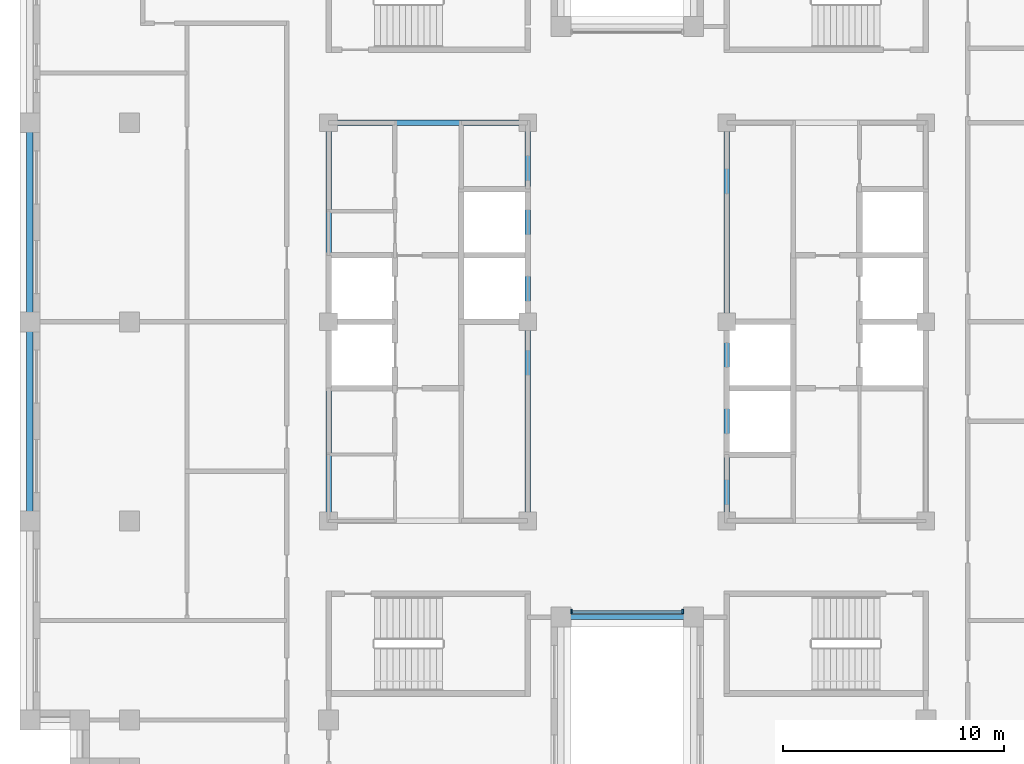
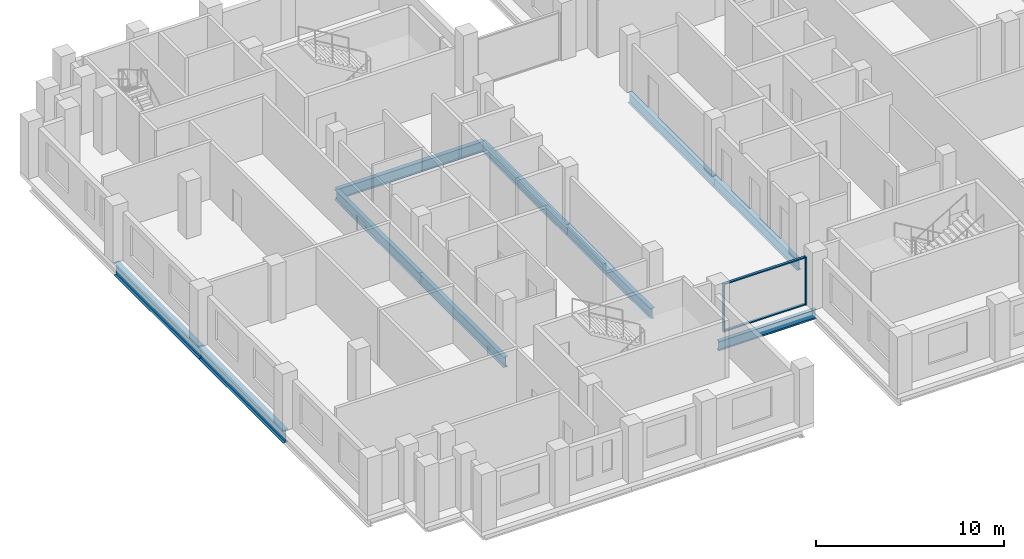
# One storey, part 2 of 13: 10 beams, 4 members, 1 element without a shape of its own.
"""IFC4 building model written with IfcOpenShell, lengths in metres."""

from ifc_helpers import new_model, si_unit, direction, frame, origin, origin_2d, place, context, subcontext, project, spatial, rectangle, i_section, extrude, material, layer, layer_set, material_profile, profile_set, type_object, element, aggregate, save


model = new_model("IFC4")

# Units and contexts
model_context = context("Model", 3, precision=1e-05, world=origin(), true_north=direction((0.0, 1.0)))
body_context = subcontext(model_context, "Body", "Model", "MODEL_VIEW")
ifc_project = project(units=[si_unit("LENGTHUNIT", "METRE"), si_unit("AREAUNIT", "SQUARE_METRE"), si_unit("VOLUMEUNIT", "CUBIC_METRE"), si_unit("PLANEANGLEUNIT", "RADIAN"), si_unit("MASSUNIT", "GRAM", prefix="KILO")], contexts=[model_context])

# Site, building, storey
site_placement = place(None, origin())
site = spatial("IfcSite", under=ifc_project, at=site_placement, CompositionType="ELEMENT")
building_placement = place(site_placement, origin())
building = spatial("IfcBuilding", under=site, at=building_placement, Name="Corbelhall Arena Tower", CompositionType="ELEMENT")
storey_placement = place(building_placement, frame((0.0, 0.0, 258.0)))
storey = spatial("IfcBuildingStorey", under=building, at=storey_placement, Name="L55", CompositionType="ELEMENT", Elevation=258.0)

# Curtain wall, members
ifc_material_1 = material(Name="Aluminium black anodised", Category="aluminium")
ifc_layer = layer(ifc_material_1, 0.199951171875)
ifc_layer_set = layer_set([ifc_layer], Name="EV-CW1 Slot back wall")
curtain_wall_type = type_object("IfcCurtainWallType", Name="EV-CW1 Slot back wall", PredefinedType="NOTDEFINED", material=ifc_layer_set)
curtain_wall_placement = place(storey_placement, origin())
curtain_wall = element("IfcCurtainWall", 1, at=curtain_wall_placement, inside=storey, type_object=curtain_wall_type, Name="Curtain wall CW1", PredefinedType="NOTDEFINED")
ifc_material_profile_1 = material_profile(ifc_material_1, rectangle(XDim=0.199951171875, YDim=0.074951171875, at=origin_2d()))
ifc_profile_set_1 = profile_set([ifc_material_profile_1], Name="Aluminium black anodised")
member_type_1 = type_object("IfcMemberType", Name="EV-CW1-MULLION", PredefinedType="MULLION", material=ifc_profile_set_1)
member_1_placement = place(storey_placement, frame((-2.512451171875, -13.10009765625, 0.0), z_axis=(0.0, 0.0, 1.0), x_axis=(0.0, 1.0, 0.0)))
member_1 = element("IfcMember", 2, at=member_1_placement, type_object=member_type_1, Name="CW1 mullion 1", PredefinedType="MULLION", context=body_context, shape_type="SweptSolid", body=[
    extrude(rectangle(XDim=0.199951171875, YDim=0.074951171875, at=origin_2d()), origin(), (0.0, 0.0, 1.0), 3.1201171875),
])
member_2_placement = place(storey_placement, frame((2.512451171875, -13.10009765625, 0.0), z_axis=(0.0, 0.0, 1.0), x_axis=(0.0, 1.0, 0.0)))
member_2 = element("IfcMember", 3, at=member_2_placement, type_object=member_type_1, Name="CW1 mullion 2", PredefinedType="MULLION", context=body_context, shape_type="SweptSolid", body=[
    extrude(rectangle(XDim=0.199951171875, YDim=0.074951171875, at=origin_2d()), origin(), (0.0, 0.0, 1.0), 3.1201171875),
])
ifc_material_profile_2 = material_profile(ifc_material_1, rectangle(XDim=0.14990234375, YDim=0.074951171875, at=origin_2d()))
ifc_profile_set_2 = profile_set([ifc_material_profile_2], Name="Aluminium black anodised")
member_type_2 = type_object("IfcMemberType", Name="EV-CW1-TRANSOM", PredefinedType="USERDEFINED", material=ifc_profile_set_2)
member_3_placement = place(storey_placement, frame((-2.47509765625, -13.10009765625, 0.03759765625), z_axis=(1.0, 0.0, 0.0), x_axis=(0.0, 1.0, 0.0)))
member_3 = element("IfcMember", 4, at=member_3_placement, type_object=member_type_2, Name="CW1 transom 1.1", ObjectType="transom", PredefinedType="USERDEFINED", context=body_context, shape_type="SweptSolid", body=[
    extrude(rectangle(XDim=0.14990234375, YDim=0.074951171875, at=origin_2d()), origin(), (0.0, 0.0, 1.0), 4.9501953125),
])
member_4_placement = place(storey_placement, frame((-2.47509765625, -13.10009765625, 3.08251953125), z_axis=(1.0, 0.0, 0.0), x_axis=(0.0, 1.0, 0.0)))
member_4 = element("IfcMember", 5, at=member_4_placement, type_object=member_type_2, Name="CW1 transom 1.2", ObjectType="transom", PredefinedType="USERDEFINED", context=body_context, shape_type="SweptSolid", body=[
    extrude(rectangle(XDim=0.14990234375, YDim=0.074951171875, at=origin_2d()), origin(), (0.0, 0.0, 1.0), 4.9501953125),
])
aggregate(curtain_wall, [member_1, member_2, member_3, member_4])

# Beams
ifc_material_2 = material(Name="Steel ASTM A992 Gr50", Category="steel")
ifc_material_profile_3 = material_profile(ifc_material_2, i_section(OverallWidth=0.25390625, OverallDepth=0.67822265625, WebThickness=0.01171875, FlangeThickness=0.016357421875, at=origin_2d()))
ifc_profile_set_3 = profile_set([ifc_material_profile_3], Name="Steel ASTM A992 Gr50")
beam_type_1 = type_object("IfcBeamType", Name="ST-BEAM-W27x84", PredefinedType="BEAM", material=ifc_profile_set_3)
for number, where, z_axis, x_axis, name in (
    (6, (-13.5, -9.0, -0.619140625), (0.0, 1.0, 0.0), (-1.0, 0.0, 0.0), "Beam CEW 1"),
    (7, (-13.5, 0.0, -0.619140625), (0.0, 1.0, 0.0), (-1.0, 0.0, 0.0), "Beam CEW 2"),
    (8, (-4.5, -9.0, -0.619140625), (0.0, 1.0, 0.0), (-1.0, 0.0, 0.0), "Beam CEW 3"),
    (9, (-4.5, 0.0, -0.619140625), (0.0, 1.0, 0.0), (-1.0, 0.0, 0.0), "Beam CEW 4"),
    (10, (-13.5, 9.0, -0.619140625), (1.0, 0.0, 0.0), (0.0, 1.0, 0.0), "Beam CEW 6"),
    (11, (4.5, -9.0, -0.619140625), (0.0, 1.0, 0.0), (-1.0, 0.0, 0.0), "Beam CEE 7"),
    (12, (4.5, 0.0, -0.619140625), (0.0, 1.0, 0.0), (-1.0, 0.0, 0.0), "Beam CEE 8"),
):
    element("IfcBeam", number, at=place(storey_placement, frame(where, z_axis=z_axis, x_axis=x_axis)), inside=storey, type_object=beam_type_1, Name=name, PredefinedType="BEAM", context=body_context, shape_type="SweptSolid", body=[
        extrude(i_section(OverallWidth=0.25390625, OverallDepth=0.67822265625, WebThickness=0.01171875, FlangeThickness=0.016357421875, at=origin_2d()), origin(), (0.0, 0.0, 1.0), 9.0),
    ])
ifc_material_profile_4 = material_profile(ifc_material_2, i_section(OverallWidth=0.227783203125, OverallDepth=0.60205078125, WebThickness=0.010498046875, FlangeThickness=0.014892578125, at=origin_2d()))
ifc_profile_set_4 = profile_set([ifc_material_profile_4], Name="Steel ASTM A992 Gr50")
beam_type_2 = type_object("IfcBeamType", Name="ST-SPANDREL-W24x68", PredefinedType="SPANDREL", material=ifc_profile_set_4)
beam_placement = place(storey_placement, frame((3.0, -13.35009765625, -0.5810546875), z_axis=(-1.0, 0.0, 0.0), x_axis=(0.0, -1.0, 0.0)))
element("IfcBeam", 13, at=beam_placement, inside=storey, type_object=beam_type_2, Name="Beam SP 33", PredefinedType="SPANDREL", context=body_context, shape_type="SweptSolid", body=[
    extrude(i_section(OverallWidth=0.227783203125, OverallDepth=0.60205078125, WebThickness=0.010498046875, FlangeThickness=0.014892578125, at=origin_2d()), origin(), (0.0, 0.0, 1.0), 6.0),
])
ifc_material_profile_5 = material_profile(ifc_material_2, i_section(OverallWidth=0.2919921875, OverallDepth=0.845703125, WebThickness=0.015380859375, FlangeThickness=0.0244140625, at=origin_2d()))
ifc_profile_set_5 = profile_set([ifc_material_profile_5], Name="Steel ASTM A992 Gr50")
beam_type_3 = type_object("IfcBeamType", Name="ST-SPANDREL-W33x141", PredefinedType="SPANDREL", material=ifc_profile_set_5)
for number, where, z_axis, x_axis, name in (
    (14, (-27.0, 0.0, -0.702880859375), (0.0, 1.0, 0.0), (-1.0, 0.0, 0.0), "Beam SP 26"),
    (15, (-27.0, -9.0, -0.702880859375), (0.0, 1.0, 0.0), (-1.0, 0.0, 0.0), "Beam SP 29"),
):
    element("IfcBeam", number, at=place(storey_placement, frame(where, z_axis=z_axis, x_axis=x_axis)), inside=storey, type_object=beam_type_3, Name=name, PredefinedType="SPANDREL", context=body_context, shape_type="SweptSolid", body=[
        extrude(i_section(OverallWidth=0.2919921875, OverallDepth=0.845703125, WebThickness=0.015380859375, FlangeThickness=0.0244140625, at=origin_2d()), origin(), (0.0, 0.0, 1.0), 9.0),
    ])

save(model, "model.ifc")
